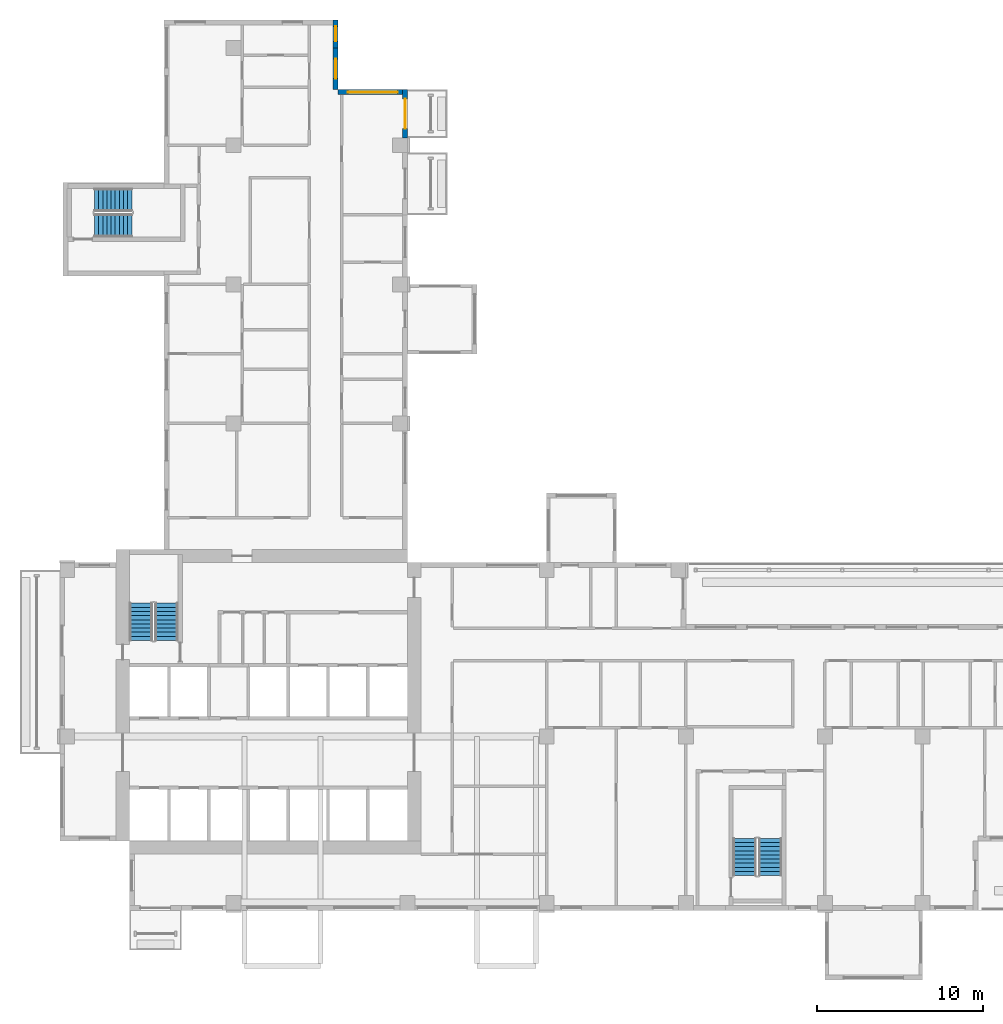
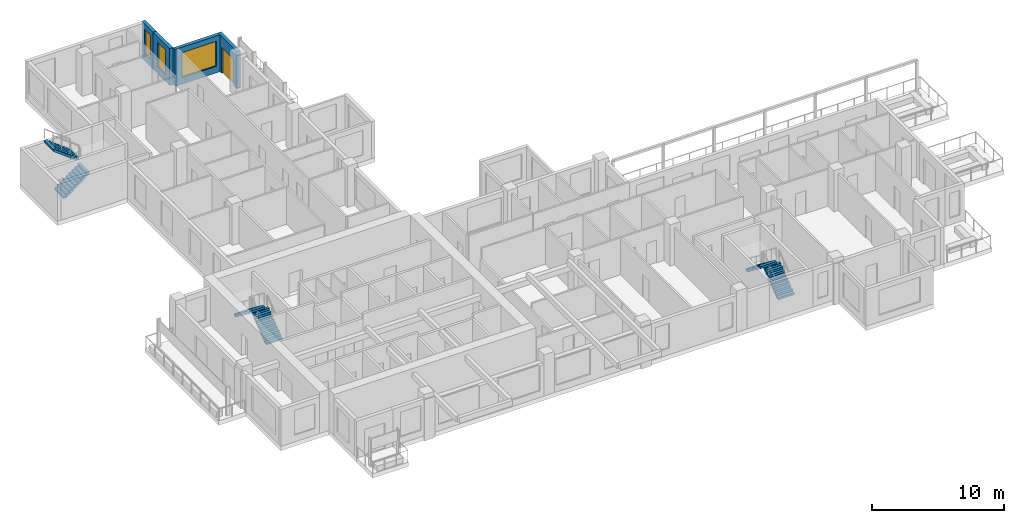
# One storey, part 10 of 15: 6 stair flights, 4 walls, 3 windows, 1 door, 4 openings, 3 elements without a shape of their own.
"""IFC4 building model written with IfcOpenShell, lengths in metres."""

from ifc_helpers import new_model, si_unit, direction, frame, frame_2d, origin, place, context, subcontext, project, spatial, polyline, rectangle, outline, extrude, source, transform, mapped, material, layer, layer_set, type_object, element, fill, aggregate, save


model = new_model("IFC4")

# Units and contexts
model_context = context("Model", 3, precision=1e-05, world=origin(), true_north=direction((0.0, 1.0)))
body_context = subcontext(model_context, "Body", "Model", "MODEL_VIEW")
ifc_project = project(units=[si_unit("LENGTHUNIT", "METRE"), si_unit("AREAUNIT", "SQUARE_METRE"), si_unit("VOLUMEUNIT", "CUBIC_METRE"), si_unit("PLANEANGLEUNIT", "RADIAN"), si_unit("MASSUNIT", "GRAM", prefix="KILO")], contexts=[model_context])

# Site, building, storey
site_placement = place(None, origin())
site = spatial("IfcSite", under=ifc_project, at=site_placement, CompositionType="ELEMENT")
building_placement = place(site_placement, origin())
building = spatial("IfcBuilding", under=site, at=building_placement, Name="Aurelian Terraces", CompositionType="ELEMENT")
storey_placement = place(building_placement, frame((0.0, 0.0, 177.8)))
storey = spatial("IfcBuildingStorey", under=building, at=storey_placement, Name="L38", CompositionType="ELEMENT", Elevation=177.8)

# Wall, opening, door
ifc_material_1 = material(Name="Terracotta rainscreen cladding", Category="masonry")
ifc_layer = layer(ifc_material_1, 0.3)
ifc_layer_set = layer_set([ifc_layer], Name="EW-300")
wall_type = type_object("IfcWallType", Name="EW-300", PredefinedType="STANDARD", material=ifc_layer_set)
shared_shape_1 = source(origin(), body_context, "Body", "SweptSolid", [
    extrude(rectangle(XDim=2.91, YDim=0.3, at=frame_2d((1.455, 0.0))), origin(), (0.0, 0.0, 1.0), 3.4),
])
wall_1_placement = place(storey_placement, frame((20.85, 46.65, 0.0), z_axis=(0.0, 0.0, 1.0), x_axis=(0.0, 1.0, 0.0)))
wall_1 = element("IfcWall", 1, at=wall_1_placement, inside=storey, type_object=wall_type, Name="External wall L38 F08.22", PredefinedType="STANDARD", context=body_context, shape_type="MappedRepresentation", body=[
    mapped(shared_shape_1, transform((0.0, 0.0, 0.0), scale=1.0)),
])
shared_shape_2 = source(origin(), body_context, "Body", "SweptSolid", [
    extrude(rectangle(XDim=1.8, YDim=2.4, at=frame_2d((0.9, 1.2))), frame((0.0, 0.16, 0.0), z_axis=(0.0, -1.0, 0.0), x_axis=(1.0, 0.0, 0.0)), (0.0, 0.0, 1.0), 0.32),
])
opening_1_placement = place(wall_1_placement, frame((0.555, 0.0, 0.0)))
opening_1 = element("IfcOpeningElement", 2, at=opening_1_placement, cuts=wall_1, Name="Opening 83811", PredefinedType="OPENING", context=body_context, shape_type="MappedRepresentation", body=[
    mapped(shared_shape_2, transform((0.0, 0.0, 0.0), scale=1.0)),
])
ifc_material_2 = material(Name="Clear glazing", Category="glass")
door_type = type_object("IfcDoorType", Name="BD-1800x2400", OperationType="SLIDING_TO_LEFT", PredefinedType="DOOR", material=ifc_material_2)
shared_shape_3 = source(origin(), body_context, "Body", "SweptSolid", [
    extrude(rectangle(XDim=1.8, YDim=2.4, at=frame_2d((0.9, 1.2))), frame((0.0, 0.025, 0.0), z_axis=(0.0, -1.0, 0.0), x_axis=(1.0, 0.0, 0.0)), (0.0, 0.0, 1.0), 0.05),
])
door_placement = place(opening_1_placement, origin())
door = element("IfcDoor", 3, at=door_placement, inside=storey, type_object=door_type, Name="Balcony door L38 F08.22", OperationType="SLIDING_TO_LEFT", OverallHeight=2.4, OverallWidth=1.8, PredefinedType="DOOR", context=body_context, shape_type="MappedRepresentation", body=[
    mapped(shared_shape_3, transform((0.0, 0.0, 0.0), scale=1.0)),
])
fill(opening_1, door)

# Wall, opening, window
shared_shape_4 = source(origin(), body_context, "Body", "SweptSolid", [
    extrude(rectangle(XDim=4.2, YDim=0.3, at=frame_2d((2.1, 0.0))), origin(), (0.0, 0.0, 1.0), 3.4),
])
wall_2_placement = place(storey_placement, frame((21.0, 49.41, 0.0), z_axis=(0.0, 0.0, 1.0), x_axis=(-1.0, 0.0, 0.0)))
wall_2 = element("IfcWall", 4, at=wall_2_placement, inside=storey, type_object=wall_type, Name="External wall L38 F09.23", PredefinedType="STANDARD", context=body_context, shape_type="MappedRepresentation", body=[
    mapped(shared_shape_4, transform((0.0, 0.0, 0.0), scale=1.0)),
])
shared_shape_5 = source(origin(), body_context, "Body", "SweptSolid", [
    extrude(rectangle(XDim=3.0, YDim=2.3, at=frame_2d((1.5, 1.15))), frame((0.0, 0.16, 0.0), z_axis=(0.0, -1.0, 0.0), x_axis=(1.0, 0.0, 0.0)), (0.0, 0.0, 1.0), 0.32),
])
opening_2_placement = place(wall_2_placement, frame((0.6, 0.0, 0.6)))
opening_2 = element("IfcOpeningElement", 5, at=opening_2_placement, cuts=wall_2, Name="Opening W3023", PredefinedType="OPENING", context=body_context, shape_type="MappedRepresentation", body=[
    mapped(shared_shape_5, transform((0.0, 0.0, 0.0), scale=1.0)),
])
window_type_1 = type_object("IfcWindowType", Name="W-3000x2300", PartitioningType="SINGLE_PANEL", PredefinedType="WINDOW", material=ifc_material_2)
shared_shape_6 = source(origin(), body_context, "Body", "SweptSolid", [
    extrude(rectangle(XDim=3.0, YDim=2.3, at=frame_2d((1.5, 1.15))), frame((0.0, 0.03, 0.0), z_axis=(0.0, -1.0, 0.0), x_axis=(1.0, 0.0, 0.0)), (0.0, 0.0, 1.0), 0.06),
])
window_1_placement = place(opening_2_placement, origin())
window_1 = element("IfcWindow", 6, at=window_1_placement, inside=storey, type_object=window_type_1, Name="Window L38 L38-F09-23-0", OverallHeight=2.3, OverallWidth=3.0, PartitioningType="SINGLE_PANEL", PredefinedType="WINDOW", context=body_context, shape_type="MappedRepresentation", body=[
    mapped(shared_shape_6, transform((0.0, 0.0, 0.0), scale=1.0)),
])
fill(opening_2, window_1)

shared_shape_7 = source(origin(), body_context, "Body", "SweptSolid", [
    extrude(rectangle(XDim=2.52, YDim=0.3, at=frame_2d((1.26, 0.0))), origin(), (0.0, 0.0, 1.0), 3.4),
])
wall_3_placement = place(storey_placement, frame((16.65, 49.56, 0.0), z_axis=(0.0, 0.0, 1.0), x_axis=(0.0, 1.0, 0.0)))
wall_3 = element("IfcWall", 7, at=wall_3_placement, inside=storey, type_object=wall_type, Name="External wall L38 F10.24", PredefinedType="STANDARD", context=body_context, shape_type="MappedRepresentation", body=[
    mapped(shared_shape_7, transform((0.0, 0.0, 0.0), scale=1.0)),
])
shared_shape_8 = source(origin(), body_context, "Body", "SweptSolid", [
    extrude(rectangle(XDim=1.2, YDim=2.3, at=frame_2d((0.6, 1.15))), frame((0.0, 0.16, 0.0), z_axis=(0.0, -1.0, 0.0), x_axis=(1.0, 0.0, 0.0)), (0.0, 0.0, 1.0), 0.32),
])
opening_3_placement = place(wall_3_placement, frame((0.66, 0.0, 0.6)))
opening_3 = element("IfcOpeningElement", 8, at=opening_3_placement, cuts=wall_3, Name="Opening W1223", PredefinedType="OPENING", context=body_context, shape_type="MappedRepresentation", body=[
    mapped(shared_shape_8, transform((0.0, 0.0, 0.0), scale=1.0)),
])
window_type_2 = type_object("IfcWindowType", Name="W-1200x2300", PartitioningType="SINGLE_PANEL", PredefinedType="WINDOW", material=ifc_material_2)
shared_shape_9 = source(origin(), body_context, "Body", "SweptSolid", [
    extrude(rectangle(XDim=1.2, YDim=2.3, at=frame_2d((0.6, 1.15))), frame((0.0, 0.03, 0.0), z_axis=(0.0, -1.0, 0.0), x_axis=(1.0, 0.0, 0.0)), (0.0, 0.0, 1.0), 0.06),
])
window_2_placement = place(opening_3_placement, origin())
window_2 = element("IfcWindow", 9, at=window_2_placement, inside=storey, type_object=window_type_2, Name="Window L38 L38-F10-24-0", OverallHeight=2.3, OverallWidth=1.2, PartitioningType="SINGLE_PANEL", PredefinedType="WINDOW", context=body_context, shape_type="MappedRepresentation", body=[
    mapped(shared_shape_9, transform((0.0, 0.0, 0.0), scale=1.0)),
])
fill(opening_3, window_2)

shared_shape_10 = source(origin(), body_context, "Body", "SweptSolid", [
    extrude(rectangle(XDim=1.68, YDim=0.3, at=frame_2d((0.84, 0.0))), origin(), (0.0, 0.0, 1.0), 3.4),
])
wall_4_placement = place(storey_placement, frame((16.65, 52.08, 0.0), z_axis=(0.0, 0.0, 1.0), x_axis=(0.0, 1.0, 0.0)))
wall_4 = element("IfcWall", 10, at=wall_4_placement, inside=storey, type_object=wall_type, Name="External wall L38 F10.25", PredefinedType="STANDARD", context=body_context, shape_type="MappedRepresentation", body=[
    mapped(shared_shape_10, transform((0.0, 0.0, 0.0), scale=1.0)),
])
shared_shape_11 = source(origin(), body_context, "Body", "SweptSolid", [
    extrude(rectangle(XDim=0.9, YDim=2.3, at=frame_2d((0.45, 1.15))), frame((0.0, 0.16, 0.0), z_axis=(0.0, -1.0, 0.0), x_axis=(1.0, 0.0, 0.0)), (0.0, 0.0, 1.0), 0.32),
])
opening_4_placement = place(wall_4_placement, frame((0.39, 0.0, 0.6)))
opening_4 = element("IfcOpeningElement", 11, at=opening_4_placement, cuts=wall_4, Name="Opening W0923", PredefinedType="OPENING", context=body_context, shape_type="MappedRepresentation", body=[
    mapped(shared_shape_11, transform((0.0, 0.0, 0.0), scale=1.0)),
])
window_type_3 = type_object("IfcWindowType", Name="W-900x2300", PartitioningType="SINGLE_PANEL", PredefinedType="WINDOW", material=ifc_material_2)
shared_shape_12 = source(origin(), body_context, "Body", "SweptSolid", [
    extrude(rectangle(XDim=0.9, YDim=2.3, at=frame_2d((0.45, 1.15))), frame((0.0, 0.03, 0.0), z_axis=(0.0, -1.0, 0.0), x_axis=(1.0, 0.0, 0.0)), (0.0, 0.0, 1.0), 0.06),
])
window_3_placement = place(opening_4_placement, origin())
window_3 = element("IfcWindow", 12, at=window_3_placement, inside=storey, type_object=window_type_3, Name="Window L38 L38-F10-25-P0", OverallHeight=2.3, OverallWidth=0.9, PartitioningType="SINGLE_PANEL", PredefinedType="WINDOW", context=body_context, shape_type="MappedRepresentation", body=[
    mapped(shared_shape_12, transform((0.0, 0.0, 0.0), scale=1.0)),
])
fill(opening_4, window_3)

# Stair, stair flights
ifc_material_3 = material(Name="Concrete fc' 40 MPa", Category="concrete")
stair_type = type_object("IfcStairType", Name="Stair 1400", PredefinedType="HALF_TURN_STAIR", material=ifc_material_3)
stair_1_placement = place(storey_placement, origin())
stair_1 = element("IfcStair", 13, at=stair_1_placement, inside=storey, type_object=stair_type, Name="L38 S1", PredefinedType="HALF_TURN_STAIR")
stair_flight_type = type_object("IfcStairFlightType", Name="Stair flight 1400", PredefinedType="STRAIGHT", material=ifc_material_3)
stair_flight_1_placement = place(storey_placement, frame((6.45, 16.3, 2e-08), z_axis=(0.0, 0.0, 1.0), x_axis=(0.0, 1.0, 0.0)))
stair_flight_1 = element("IfcStairFlight", 14, at=stair_flight_1_placement, type_object=stair_flight_type, Name="S1 flight 1", NumberOfRisers=10, NumberOfTreads=9, PredefinedType="STRAIGHT", RiserHeight=0.19, TreadLength=0.25, context=body_context, shape_type="SweptSolid", body=[
    extrude(outline(polyline([(0.0, 0.0), (0.0, 0.19), (0.25, 0.19), (0.25, 0.38), (0.5, 0.38), (0.5, 0.57), (0.75, 0.57), (0.75, 0.76), (1.0, 0.76), (1.0, 0.95), (1.25, 0.95), (1.25, 1.14), (1.5, 1.14), (1.5, 1.33), (1.75, 1.33), (1.75, 1.52), (2.0, 1.52), (2.0, 1.71), (2.25, 1.71), (2.25, 1.9), (2.25, 1.5216), (0.2479, 0.0), (0.0, 0.0)])), frame((0.0, 0.7, 0.0), z_axis=(0.0, -1.0, 0.0), x_axis=(1.0, 0.0, 0.0)), (0.0, 0.0, 1.0), 1.4),
])
shared_shape_13 = source(origin(), body_context, "Body", "SweptSolid", [
    extrude(outline(polyline([(0.0, 0.0), (0.0, 0.19), (0.25, 0.19), (0.25, 0.38), (0.5, 0.38), (0.5, 0.57), (0.75, 0.57), (0.75, 0.76), (1.0, 0.76), (1.0, 0.95), (1.25, 0.95), (1.25, 1.14), (1.5, 1.14), (1.5, 1.33), (1.75, 1.33), (1.75, 1.52), (2.0, 1.52), (2.0, 1.71), (2.25, 1.71), (2.25, 1.9), (2.25, 1.5216), (0.2479, 0.0), (0.0, 0.0)])), frame((0.0, 0.7, 0.0), z_axis=(0.0, -1.0, 0.0), x_axis=(1.0, 0.0, 0.0)), (0.0, 0.0, 1.0), 1.4),
])
stair_flight_2_placement = place(storey_placement, frame((4.9, 18.55, 1.9000000199999774), z_axis=(0.0, 0.0, 1.0), x_axis=(0.0, -1.0, 0.0)))
stair_flight_2 = element("IfcStairFlight", 15, at=stair_flight_2_placement, type_object=stair_flight_type, Name="S1 flight 2", NumberOfRisers=10, NumberOfTreads=9, PredefinedType="STRAIGHT", RiserHeight=0.19, TreadLength=0.25, context=body_context, shape_type="MappedRepresentation", body=[
    mapped(shared_shape_13, transform((0.0, 0.0, 0.0), scale=1.0)),
])
aggregate(stair_1, [stair_flight_1, stair_flight_2])

stair_2_placement = place(storey_placement, origin())
stair_2 = element("IfcStair", 16, at=stair_2_placement, inside=storey, type_object=stair_type, Name="L38 S2", PredefinedType="HALF_TURN_STAIR")
stair_flight_3_placement = place(storey_placement, frame((42.9, 2.1, 2e-08), z_axis=(0.0, 0.0, 1.0), x_axis=(0.0, 1.0, 0.0)))
stair_flight_3 = element("IfcStairFlight", 17, at=stair_flight_3_placement, type_object=stair_flight_type, Name="S2 flight 1", NumberOfRisers=10, NumberOfTreads=9, PredefinedType="STRAIGHT", RiserHeight=0.19, TreadLength=0.25, context=body_context, shape_type="MappedRepresentation", body=[
    mapped(shared_shape_13, transform((0.0, 0.0, 0.0), scale=1.0)),
])
stair_flight_4_placement = place(storey_placement, frame((41.35, 4.35, 1.9000000199999774), z_axis=(0.0, 0.0, 1.0), x_axis=(0.0, -1.0, 0.0)))
stair_flight_4 = element("IfcStairFlight", 18, at=stair_flight_4_placement, type_object=stair_flight_type, Name="S2 flight 2", NumberOfRisers=10, NumberOfTreads=9, PredefinedType="STRAIGHT", RiserHeight=0.19, TreadLength=0.25, context=body_context, shape_type="MappedRepresentation", body=[
    mapped(shared_shape_13, transform((0.0, 0.0, 0.0), scale=1.0)),
])
aggregate(stair_2, [stair_flight_3, stair_flight_4])

stair_3_placement = place(storey_placement, origin())
stair_3 = element("IfcStair", 19, at=stair_3_placement, inside=storey, type_object=stair_type, Name="L38 S3", PredefinedType="HALF_TURN_STAIR")
stair_flight_5_placement = place(storey_placement, frame((2.1, 41.35, 2e-08), z_axis=(0.0, 0.0, 1.0), x_axis=(1.0, 0.0, 0.0)))
stair_flight_5 = element("IfcStairFlight", 20, at=stair_flight_5_placement, type_object=stair_flight_type, Name="S3 flight 1", NumberOfRisers=10, NumberOfTreads=9, PredefinedType="STRAIGHT", RiserHeight=0.19, TreadLength=0.25, context=body_context, shape_type="MappedRepresentation", body=[
    mapped(shared_shape_13, transform((0.0, 0.0, 0.0), scale=1.0)),
])
stair_flight_6_placement = place(storey_placement, frame((4.35, 42.9, 1.9000000199999774), z_axis=(0.0, 0.0, 1.0), x_axis=(-1.0, 0.0, 0.0)))
stair_flight_6 = element("IfcStairFlight", 21, at=stair_flight_6_placement, type_object=stair_flight_type, Name="S3 flight 2", NumberOfRisers=10, NumberOfTreads=9, PredefinedType="STRAIGHT", RiserHeight=0.19, TreadLength=0.25, context=body_context, shape_type="MappedRepresentation", body=[
    mapped(shared_shape_13, transform((0.0, 0.0, 0.0), scale=1.0)),
])
aggregate(stair_3, [stair_flight_5, stair_flight_6])

save(model, "model.ifc")
